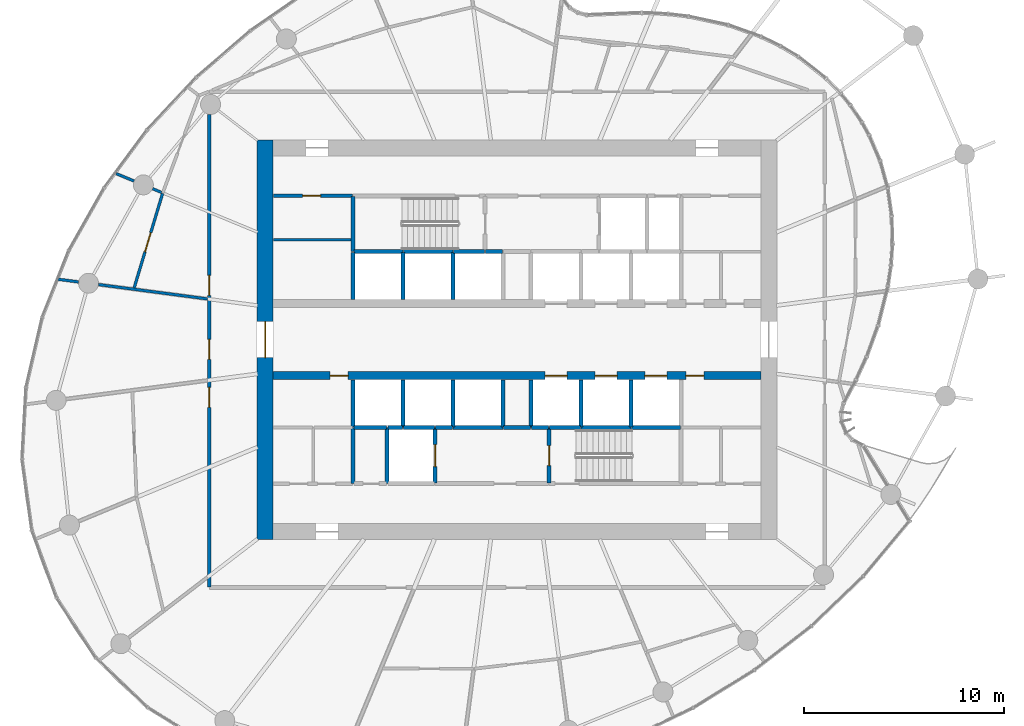
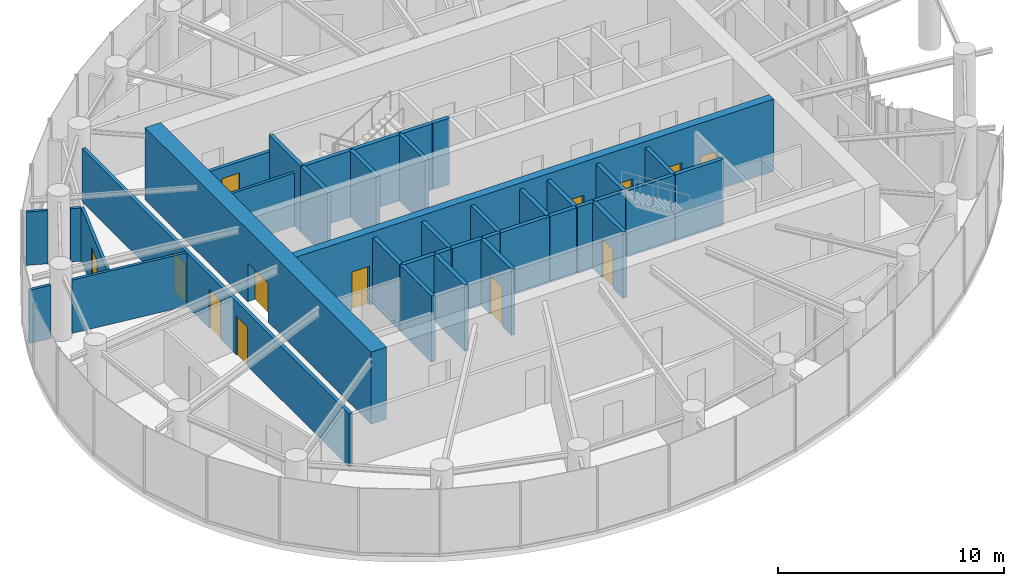
# One storey, part 14 of 19: 39 walls, 13 doors, 13 openings.
"""IFC4 building model written with IfcOpenShell, lengths in metres."""

from ifc_helpers import new_model, si_unit, direction, frame, frame_2d, origin, place, context, subcontext, project, spatial, rectangle, extrude, source, transform, mapped, material, layer, layer_set, type_object, element, fill, save


model = new_model("IFC4")

# Units and contexts
model_context = context("Model", 3, precision=1e-05, world=origin(), true_north=direction((0.0, 1.0)))
body_context = subcontext(model_context, "Body", "Model", "MODEL_VIEW")
ifc_project = project(units=[si_unit("LENGTHUNIT", "METRE"), si_unit("AREAUNIT", "SQUARE_METRE"), si_unit("VOLUMEUNIT", "CUBIC_METRE"), si_unit("PLANEANGLEUNIT", "RADIAN"), si_unit("MASSUNIT", "GRAM", prefix="KILO")], contexts=[model_context])

# Site, building, storey
site_placement = place(None, origin())
site = spatial("IfcSite", under=ifc_project, at=site_placement, CompositionType="ELEMENT")
building_placement = place(site_placement, origin())
building = spatial("IfcBuilding", under=site, at=building_placement, Name="Spindrift Exchange Tower", CompositionType="ELEMENT")
storey_placement = place(building_placement, frame((0.0, 0.0, 137.0)))
storey = spatial("IfcBuildingStorey", under=building, at=storey_placement, Name="L32", CompositionType="ELEMENT", Elevation=137.0)

# Wall, opening, door
ifc_material_1 = material(Name="Concrete 65 MPa", Category="concrete")
ifc_layer_1 = layer(ifc_material_1, 0.800048828125)
ifc_layer_set_1 = layer_set([ifc_layer_1], Name="RC Core Wall 800 Concrete 65 MPa")
wall_type_1 = type_object("IfcWallType", Name="RC Core Wall 800 Concrete 65 MPa", PredefinedType="SHEAR", material=ifc_layer_set_1)
wall_1_placement = place(storey_placement, frame((39.39990234375, 58.0, 0.0), z_axis=(0.0, 0.0, 1.0), x_axis=(0.0, -1.0, 0.0)))
wall_1 = element("IfcWall", 1, at=wall_1_placement, inside=storey, type_object=wall_type_1, Name="Core wall W L32", PredefinedType="SHEAR", context=body_context, shape_type="SweptSolid", body=[
    extrude(rectangle(XDim=20.0, YDim=0.800048828125, at=frame_2d((10.0, 0.0))), origin(), (0.0, 0.0, 1.0), 3.89990234375),
])
opening_1_placement = place(wall_1_placement, frame((9.10009765625, 0.0, 0.0)))
opening_1 = element("IfcOpeningElement", 2, at=opening_1_placement, cuts=wall_1, Name="Opening L32-D1", PredefinedType="OPENING", context=body_context, shape_type="SweptSolid", body=[
    extrude(rectangle(XDim=1.800048828125, YDim=2.10009765625, at=frame_2d((0.89990234375, 1.050048828125))), frame((0.0, 0.409912109375, 0.0), z_axis=(0.0, -1.0, 0.0), x_axis=(1.0, 0.0, 0.0)), (0.0, 0.0, 1.0), 0.820068359375),
])
ifc_material_2 = material(Name="Timber-core fire door", Category="wood")
door_type_1 = type_object("IfcDoorType", Name="DR-LOBBY-1800", OperationType="NOTDEFINED", PredefinedType="DOOR", material=ifc_material_2)
shared_shape_1 = source(origin(), body_context, "Body", "SweptSolid", [
    extrude(rectangle(XDim=1.800048828125, YDim=2.10009765625, at=frame_2d((0.89990234375, 1.050048828125))), frame((0.0, 0.02490234375, 0.0), z_axis=(0.0, -1.0, 0.0), x_axis=(1.0, 0.0, 0.0)), (0.0, 0.0, 1.0), 0.050048828125),
])
door_1_placement = place(opening_1_placement, origin())
door_1 = element("IfcDoor", 3, at=door_1_placement, inside=storey, type_object=door_type_1, Name="L32 Lobby door 1", OperationType="SINGLE_SWING_RIGHT", OverallHeight=2.10009765625, OverallWidth=1.800048828125, PredefinedType="DOOR", context=body_context, shape_type="MappedRepresentation", body=[
    mapped(shared_shape_1, transform((0.0, 0.0, 0.0), scale=1.0)),
])
fill(opening_1, door_1)

# Wall, openings, doors
ifc_layer_2 = layer(ifc_material_1, 0.39990234375)
ifc_layer_set_2 = layer_set([ifc_layer_2], Name="RC Spine Wall 400 Concrete 65 MPa")
wall_type_2 = type_object("IfcWallType", Name="RC Spine Wall 400 Concrete 65 MPa", PredefinedType="SHEAR", material=ifc_layer_set_2)
wall_2_placement = place(storey_placement, frame((39.800048828125, 46.199951171875, 0.0), z_axis=(0.0, 0.0, 1.0), x_axis=(1.0, 0.0, 0.0)))
wall_2 = element("IfcWall", 4, at=wall_2_placement, inside=storey, type_object=wall_type_2, Name="Core spine wall S L32", PredefinedType="SHEAR", context=body_context, shape_type="SweptSolid", body=[
    extrude(rectangle(XDim=24.39990234375, YDim=0.39990234375, at=frame_2d((12.199951171875, 0.0))), origin(), (0.0, 0.0, 1.0), 3.89990234375),
])
opening_2_placement = place(wall_2_placement, frame((13.60009765625, 0.0, 0.0)))
opening_2 = element("IfcOpeningElement", 5, at=opening_2_placement, cuts=wall_2, Name="Opening L32-D6", PredefinedType="OPENING", context=body_context, shape_type="SweptSolid", body=[
    extrude(rectangle(XDim=1.10009765625, YDim=2.10009765625, at=frame_2d((0.550048828125, 1.050048828125))), frame((0.0, 0.2099609375, 0.0), z_axis=(0.0, -1.0, 0.0), x_axis=(1.0, 0.0, 0.0)), (0.0, 0.0, 1.0), 0.419921875),
])
opening_3_placement = place(wall_2_placement, frame((16.10009765625, 0.0, 0.0)))
opening_3 = element("IfcOpeningElement", 6, at=opening_3_placement, cuts=wall_2, Name="Opening L32-D7", PredefinedType="OPENING", context=body_context, shape_type="SweptSolid", body=[
    extrude(rectangle(XDim=1.10009765625, YDim=2.10009765625, at=frame_2d((0.550048828125, 1.050048828125))), frame((0.0, 0.2099609375, 0.0), z_axis=(0.0, -1.0, 0.0), x_axis=(1.0, 0.0, 0.0)), (0.0, 0.0, 1.0), 0.419921875),
])
opening_4_placement = place(wall_2_placement, frame((18.60009765625, 0.0, 0.0)))
opening_4 = element("IfcOpeningElement", 7, at=opening_4_placement, cuts=wall_2, Name="Opening L32-D8", PredefinedType="OPENING", context=body_context, shape_type="SweptSolid", body=[
    extrude(rectangle(XDim=1.10009765625, YDim=2.10009765625, at=frame_2d((0.550048828125, 1.050048828125))), frame((0.0, 0.2099609375, 0.0), z_axis=(0.0, -1.0, 0.0), x_axis=(1.0, 0.0, 0.0)), (0.0, 0.0, 1.0), 0.419921875),
])
opening_5_placement = place(wall_2_placement, frame((20.64990234375, 0.0, 0.0)))
opening_5 = element("IfcOpeningElement", 8, at=opening_5_placement, cuts=wall_2, Name="Opening L32-D54", PredefinedType="OPENING", context=body_context, shape_type="SweptSolid", body=[
    extrude(rectangle(XDim=0.89990234375, YDim=2.10009765625, at=frame_2d((0.449951171875, 1.050048828125))), frame((0.0, 0.2099609375, 0.0), z_axis=(0.0, -1.0, 0.0), x_axis=(1.0, 0.0, 0.0)), (0.0, 0.0, 1.0), 0.419921875),
])
opening_6_placement = place(wall_2_placement, frame((2.85009765625, 0.0, 0.0)))
opening_6 = element("IfcOpeningElement", 9, at=opening_6_placement, cuts=wall_2, Name="Opening L32-D60", PredefinedType="OPENING", context=body_context, shape_type="SweptSolid", body=[
    extrude(rectangle(XDim=0.89990234375, YDim=2.10009765625, at=frame_2d((0.449951171875, 1.050048828125))), frame((0.0, 0.2099609375, 0.0), z_axis=(0.0, -1.0, 0.0), x_axis=(1.0, 0.0, 0.0)), (0.0, 0.0, 1.0), 0.419921875),
])
ifc_material_3 = material(Name="Stainless steel landing door", Category="steel")
door_type_2 = type_object("IfcDoorType", Name="DR-LANDING-1100-SL", OperationType="DOUBLE_DOOR_SLIDING", PredefinedType="USERDEFINED", material=ifc_material_3)
shared_shape_2 = source(origin(), body_context, "Body", "SweptSolid", [
    extrude(rectangle(XDim=1.10009765625, YDim=2.10009765625, at=frame_2d((0.550048828125, 1.050048828125))), frame((0.0, 0.02490234375, 0.0), z_axis=(0.0, -1.0, 0.0), x_axis=(1.0, 0.0, 0.0)), (0.0, 0.0, 1.0), 0.050048828125),
])
door_2_placement = place(opening_2_placement, origin())
door_2 = element("IfcDoor", 10, at=door_2_placement, inside=storey, type_object=door_type_2, Name="L32 Lift landing door 6", ObjectType="LANDING DOOR", OperationType="DOUBLE_DOOR_SLIDING", OverallHeight=2.10009765625, OverallWidth=1.10009765625, PredefinedType="USERDEFINED", context=body_context, shape_type="MappedRepresentation", body=[
    mapped(shared_shape_2, transform((0.0, 0.0, 0.0), scale=1.0)),
])
fill(opening_2, door_2)
door_3_placement = place(opening_3_placement, origin())
door_3 = element("IfcDoor", 11, at=door_3_placement, inside=storey, type_object=door_type_2, Name="L32 Lift landing door 7", ObjectType="LANDING DOOR", OperationType="DOUBLE_DOOR_SLIDING", OverallHeight=2.10009765625, OverallWidth=1.10009765625, PredefinedType="USERDEFINED", context=body_context, shape_type="MappedRepresentation", body=[
    mapped(shared_shape_2, transform((0.0, 0.0, 0.0), scale=1.0)),
])
fill(opening_3, door_3)
door_4_placement = place(opening_4_placement, origin())
door_4 = element("IfcDoor", 12, at=door_4_placement, inside=storey, type_object=door_type_2, Name="L32 Lift landing door 8", ObjectType="LANDING DOOR", OperationType="DOUBLE_DOOR_SLIDING", OverallHeight=2.10009765625, OverallWidth=1.10009765625, PredefinedType="USERDEFINED", context=body_context, shape_type="MappedRepresentation", body=[
    mapped(shared_shape_2, transform((0.0, 0.0, 0.0), scale=1.0)),
])
fill(opening_4, door_4)
ifc_material_4 = material(Name="Steel access door", Category="steel")
door_type_3 = type_object("IfcDoorType", Name="DR-RISER-900", OperationType="NOTDEFINED", PredefinedType="DOOR", material=ifc_material_4)
shared_shape_3 = source(origin(), body_context, "Body", "SweptSolid", [
    extrude(rectangle(XDim=0.89990234375, YDim=2.10009765625, at=frame_2d((0.449951171875, 1.050048828125))), frame((0.0, 0.02490234375, 0.0), z_axis=(0.0, -1.0, 0.0), x_axis=(1.0, 0.0, 0.0)), (0.0, 0.0, 1.0), 0.050048828125),
])
door_5_placement = place(opening_5_placement, origin())
door_5 = element("IfcDoor", 13, at=door_5_placement, inside=storey, type_object=door_type_3, Name="L32 Riser door 54", OperationType="SINGLE_SWING_RIGHT", OverallHeight=2.10009765625, OverallWidth=0.89990234375, PredefinedType="DOOR", context=body_context, shape_type="MappedRepresentation", body=[
    mapped(shared_shape_3, transform((0.0, 0.0, 0.0), scale=1.0)),
])
fill(opening_5, door_5)
door_6_placement = place(opening_6_placement, origin())
door_6 = element("IfcDoor", 14, at=door_6_placement, inside=storey, type_object=door_type_3, Name="L32 Riser door 60", OperationType="SINGLE_SWING_RIGHT", OverallHeight=2.10009765625, OverallWidth=0.89990234375, PredefinedType="DOOR", context=body_context, shape_type="MappedRepresentation", body=[
    mapped(shared_shape_3, transform((0.0, 0.0, 0.0), scale=1.0)),
])
fill(opening_6, door_6)

ifc_material_5 = material(Name="Fire-rated plasterboard partition", Category="gypsum")
ifc_layer_3 = layer(ifc_material_5, 0.179931640625)
ifc_layer_set_3 = layer_set([ifc_layer_3], Name="W-CORR-180")
wall_type_3 = type_object("IfcWallType", Name="W-CORR-180", PredefinedType="PARTITIONING", material=ifc_layer_set_3)
wall_3_placement = place(storey_placement, frame((36.60009765625, 35.6298828125, 0.0), z_axis=(0.0, 0.0, 1.0), x_axis=(0.0, 1.0, 0.0)))
wall_3 = element("IfcWall", 15, at=wall_3_placement, inside=storey, type_object=wall_type_3, Name="L32 Partition wall 57", PredefinedType="PARTITIONING", context=body_context, shape_type="SweptSolid", body=[
    extrude(rectangle(XDim=23.6376953125, YDim=0.179931640625, at=frame_2d((11.81884765625, 0.0))), origin(), (0.0, 0.0, 1.0), 2.8798828125),
])
opening_7_placement = place(wall_3_placement, frame((14.58740234375, 0.0, 0.0)))
opening_7 = element("IfcOpeningElement", 16, at=opening_7_placement, cuts=wall_3, Name="Opening L32-D34", PredefinedType="OPENING", context=body_context, shape_type="SweptSolid", body=[
    extrude(rectangle(XDim=1.0, YDim=2.10009765625, at=frame_2d((0.5, 1.050048828125))), frame((0.0, 0.099853515625, 0.0), z_axis=(0.0, -1.0, 0.0), x_axis=(1.0, 0.0, 0.0)), (0.0, 0.0, 1.0), 0.199951171875),
])
opening_8_placement = place(wall_3_placement, frame((11.387451171875, 0.0, 0.0)))
opening_8 = element("IfcOpeningElement", 17, at=opening_8_placement, cuts=wall_3, Name="Opening L32-D37", PredefinedType="OPENING", context=body_context, shape_type="SweptSolid", body=[
    extrude(rectangle(XDim=1.0, YDim=2.10009765625, at=frame_2d((0.5, 1.050048828125))), frame((0.0, 0.099853515625, 0.0), z_axis=(0.0, -1.0, 0.0), x_axis=(1.0, 0.0, 0.0)), (0.0, 0.0, 1.0), 0.199951171875),
])
opening_9_placement = place(wall_3_placement, frame((8.987548828125, 0.0, 0.0)))
opening_9 = element("IfcOpeningElement", 18, at=opening_9_placement, cuts=wall_3, Name="Opening L32-D38", PredefinedType="OPENING", context=body_context, shape_type="SweptSolid", body=[
    extrude(rectangle(XDim=1.0, YDim=2.10009765625, at=frame_2d((0.5, 1.050048828125))), frame((0.0, 0.099853515625, 0.0), z_axis=(0.0, -1.0, 0.0), x_axis=(1.0, 0.0, 0.0)), (0.0, 0.0, 1.0), 0.199951171875),
])
door_type_4 = type_object("IfcDoorType", Name="DR-ROOM-1000", OperationType="NOTDEFINED", PredefinedType="DOOR", material=ifc_material_2)
shared_shape_4 = source(origin(), body_context, "Body", "SweptSolid", [
    extrude(rectangle(XDim=1.0, YDim=2.10009765625, at=frame_2d((0.5, 1.050048828125))), frame((0.0, 0.02490234375, 0.0), z_axis=(0.0, -1.0, 0.0), x_axis=(1.0, 0.0, 0.0)), (0.0, 0.0, 1.0), 0.050048828125),
])
door_7_placement = place(opening_7_placement, origin())
door_7 = element("IfcDoor", 19, at=door_7_placement, inside=storey, type_object=door_type_4, Name="L32 Door 34", OperationType="SINGLE_SWING_RIGHT", OverallHeight=2.10009765625, OverallWidth=1.0, PredefinedType="DOOR", context=body_context, shape_type="MappedRepresentation", body=[
    mapped(shared_shape_4, transform((0.0, 0.0, 0.0), scale=1.0)),
])
fill(opening_7, door_7)
door_8_placement = place(opening_8_placement, origin())
door_8 = element("IfcDoor", 20, at=door_8_placement, inside=storey, type_object=door_type_4, Name="L32 Door 37", OperationType="SINGLE_SWING_LEFT", OverallHeight=2.10009765625, OverallWidth=1.0, PredefinedType="DOOR", context=body_context, shape_type="MappedRepresentation", body=[
    mapped(shared_shape_4, transform((0.0, 0.0, 0.0), scale=1.0)),
])
fill(opening_8, door_8)
door_9_placement = place(opening_9_placement, origin())
door_9 = element("IfcDoor", 21, at=door_9_placement, inside=storey, type_object=door_type_4, Name="L32 Door 38", OperationType="SINGLE_SWING_RIGHT", OverallHeight=2.10009765625, OverallWidth=1.0, PredefinedType="DOOR", context=body_context, shape_type="MappedRepresentation", body=[
    mapped(shared_shape_4, transform((0.0, 0.0, 0.0), scale=1.0)),
])
fill(opening_9, door_9)

# Wall, opening, door
wall_4_placement = place(storey_placement, frame((43.77001953125, 55.199951171875, 0.0), z_axis=(0.0, 0.0, 1.0), x_axis=(-1.0, 0.0, 0.0)))
wall_4 = element("IfcWall", 22, at=wall_4_placement, inside=storey, type_object=wall_type_3, Name="L32 Partition wall 62", PredefinedType="PARTITIONING", context=body_context, shape_type="SweptSolid", body=[
    extrude(rectangle(XDim=3.949951171875, YDim=0.179931640625, at=frame_2d((1.97509765625, 0.0))), origin(), (0.0, 0.0, 1.0), 2.699951171875),
])
opening_10_placement = place(wall_4_placement, frame((1.60009765625, 0.0, 0.0)))
opening_10 = element("IfcOpeningElement", 23, at=opening_10_placement, cuts=wall_4, Name="Opening L32-D51", PredefinedType="OPENING", context=body_context, shape_type="SweptSolid", body=[
    extrude(rectangle(XDim=0.89990234375, YDim=2.10009765625, at=frame_2d((0.449951171875, 1.050048828125))), frame((0.0, 0.099853515625, 0.0), z_axis=(0.0, -1.0, 0.0), x_axis=(1.0, 0.0, 0.0)), (0.0, 0.0, 1.0), 0.199951171875),
])
door_10_placement = place(opening_10_placement, origin())
door_10 = element("IfcDoor", 24, at=door_10_placement, inside=storey, type_object=door_type_3, Name="L32 Riser door 51", OperationType="SINGLE_SWING_LEFT", OverallHeight=2.10009765625, OverallWidth=0.89990234375, PredefinedType="DOOR", context=body_context, shape_type="MappedRepresentation", body=[
    mapped(shared_shape_3, transform((0.0, 0.0, 0.0), scale=1.0)),
])
fill(opening_10, door_10)

# Wall
ifc_layer_4 = layer(ifc_material_5, 0.139892578125)
ifc_layer_set_4 = layer_set([ifc_layer_4], Name="W-PART-140")
wall_type_4 = type_object("IfcWallType", Name="W-PART-140", PredefinedType="PARTITIONING", material=ifc_layer_set_4)
wall_5_placement = place(storey_placement, frame((36.510009765625, 50.039306640625, 0.0), z_axis=(0.0, 0.0, 1.0), x_axis=(-0.991447190362, 0.130508500581, 0.0)))
element("IfcWall", 25, at=wall_5_placement, inside=storey, type_object=wall_type_4, Name="L32 Partition wall 66", PredefinedType="PARTITIONING", context=body_context, shape_type="SweptSolid", body=[
    extrude(rectangle(XDim=5.498046875, YDim=0.139892578125, at=frame_2d((2.7490234375, 0.0))), origin(), (0.0, 0.0, 1.0), 2.8798828125),
])

# Wall, opening, door
wall_6_placement = place(storey_placement, frame((32.84130859375, 50.593017578125, 0.0), z_axis=(0.0, 0.0, 1.0), x_axis=(0.288451473593, 0.957494515588, 0.0)))
wall_6 = element("IfcWall", 26, at=wall_6_placement, inside=storey, type_object=wall_type_4, Name="L32 Partition wall 72", PredefinedType="PARTITIONING", context=body_context, shape_type="SweptSolid", body=[
    extrude(rectangle(XDim=4.93115234375, YDim=0.139892578125, at=frame_2d((2.465576171875, 0.0))), origin(), (0.0, 0.0, 1.0), 2.8798828125),
])
opening_11_placement = place(wall_6_placement, frame((1.881103515625, 0.0, 0.0)))
opening_11 = element("IfcOpeningElement", 27, at=opening_11_placement, cuts=wall_6, Name="Opening L32-D36", PredefinedType="OPENING", context=body_context, shape_type="SweptSolid", body=[
    extrude(rectangle(XDim=1.0, YDim=2.10009765625, at=frame_2d((0.5, 1.050048828125))), frame((0.0, 0.079833984375, 0.0), z_axis=(0.0, -1.0, 0.0), x_axis=(1.0, 0.0, 0.0)), (0.0, 0.0, 1.0), 0.159912109375),
])
door_11_placement = place(opening_11_placement, origin())
door_11 = element("IfcDoor", 28, at=door_11_placement, inside=storey, type_object=door_type_4, Name="L32 Door 36", OperationType="SINGLE_SWING_RIGHT", OverallHeight=2.10009765625, OverallWidth=1.0, PredefinedType="DOOR", context=body_context, shape_type="MappedRepresentation", body=[
    mapped(shared_shape_4, transform((0.0, 0.0, 0.0), scale=1.0)),
])
fill(opening_11, door_11)

# Walls
wall_7_placement = place(storey_placement, frame((39.820068359375, 53.0, 0.0), z_axis=(0.0, 0.0, 1.0), x_axis=(1.0, 0.0, 0.0)))
element("IfcWall", 29, at=wall_7_placement, inside=storey, type_object=wall_type_4, Name="L32 Partition wall 85", PredefinedType="PARTITIONING", context=body_context, shape_type="SweptSolid", body=[
    extrude(rectangle(XDim=3.8798828125, YDim=0.139892578125, at=frame_2d((1.93994140625, 0.0))), origin(), (0.0, 0.0, 1.0), 2.8798828125),
])
wall_8_placement = place(storey_placement, frame((30.058837890625, 50.888671875, 0.0), z_axis=(0.0, 0.0, 1.0), x_axis=(-0.99145510575, 0.13044835485, 0.0)))
element("IfcWall", 30, at=wall_8_placement, inside=storey, type_object=wall_type_4, Name="L32 Partition wall 114", PredefinedType="PARTITIONING", context=body_context, shape_type="SweptSolid", body=[
    extrude(rectangle(XDim=1.025634765625, YDim=0.139892578125, at=frame_2d((0.5126953125, 0.0))), origin(), (0.0, 0.0, 1.0), 2.8798828125),
])
wall_9_placement = place(storey_placement, frame((32.833984375, 55.938720703125, 0.0), z_axis=(0.0, 0.0, 1.0), x_axis=(-0.923825225633, 0.382814514464, 0.0)))
element("IfcWall", 31, at=wall_9_placement, inside=storey, type_object=wall_type_4, Name="L32 Partition wall 116", PredefinedType="PARTITIONING", context=body_context, shape_type="SweptSolid", body=[
    extrude(rectangle(XDim=0.962890625, YDim=0.139892578125, at=frame_2d((0.4814453125, 0.0))), origin(), (0.0, 0.0, 1.0), 2.8798828125),
])
wall_10_placement = place(storey_placement, frame((34.20751953125, 55.369873046875, 0.0), z_axis=(0.0, 0.0, 1.0), x_axis=(-0.923848198503, 0.382759070595, 0.0)))
element("IfcWall", 32, at=wall_10_placement, inside=storey, type_object=wall_type_4, Name="L32 Partition wall 130", PredefinedType="PARTITIONING", context=body_context, shape_type="SweptSolid", body=[
    extrude(rectangle(XDim=0.4765625, YDim=0.139892578125, at=frame_2d((0.23828125, 0.0))), origin(), (0.0, 0.0, 1.0), 2.8798828125),
])
ifc_material_6 = material(Name="Concrete 40 MPa", Category="concrete")
ifc_layer_5 = layer(ifc_material_6, 0.199951171875)
ifc_layer_set_5 = layer_set([ifc_layer_5], Name="W-SHAFT-200")
wall_type_5 = type_object("IfcWallType", Name="W-SHAFT-200", PredefinedType="SOLIDWALL", material=ifc_layer_set_5)
for number, where, z_axis, x_axis, name in (
    (33, (43.800048828125, 43.60009765625, 0.0), (0.0, 0.0, 1.0), (0.0, -1.0, 0.0), "L32 Shaft wall 5"),
    (34, (45.5, 43.60009765625, 0.0), (0.0, 0.0, 1.0), (0.0, -1.0, 0.0), "L32 Shaft wall 7"),
):
    element("IfcWall", number, at=place(storey_placement, frame(where, z_axis=z_axis, x_axis=x_axis)), inside=storey, type_object=wall_type_5, Name=name, PredefinedType="SOLIDWALL", context=body_context, shape_type="SweptSolid", body=[
        extrude(rectangle(XDim=2.800048828125, YDim=0.199951171875, at=frame_2d((1.39990234375, 0.0))), origin(), (0.0, 0.0, 1.0), 3.580078125),
    ])

# Wall, opening, door
wall_11_placement = place(storey_placement, frame((47.89990234375, 40.830078125, 0.0), z_axis=(0.0, 0.0, 1.0), x_axis=(0.0, 1.0, 0.0)))
wall_11 = element("IfcWall", 35, at=wall_11_placement, inside=storey, type_object=wall_type_5, Name="L32 Shaft wall 8", PredefinedType="SOLIDWALL", context=body_context, shape_type="SweptSolid", body=[
    extrude(rectangle(XDim=2.77001953125, YDim=0.199951171875, at=frame_2d((1.385009765625, 0.0))), origin(), (0.0, 0.0, 1.0), 3.580078125),
])
opening_12_placement = place(wall_11_placement, frame((0.820068359375, 0.0, 0.0)))
opening_12 = element("IfcOpeningElement", 36, at=opening_12_placement, cuts=wall_11, Name="Opening L32-D10", PredefinedType="OPENING", context=body_context, shape_type="SweptSolid", body=[
    extrude(rectangle(XDim=1.10009765625, YDim=2.10009765625, at=frame_2d((0.550048828125, 1.050048828125))), frame((0.0, 0.10986328125, 0.0), z_axis=(0.0, -1.0, 0.0), x_axis=(1.0, 0.0, 0.0)), (0.0, 0.0, 1.0), 0.219970703125),
])
door_12_placement = place(opening_12_placement, origin())
door_12 = element("IfcDoor", 37, at=door_12_placement, inside=storey, type_object=door_type_2, Name="L32 Lift landing door 10", ObjectType="LANDING DOOR", OperationType="DOUBLE_DOOR_SLIDING", OverallHeight=2.10009765625, OverallWidth=1.10009765625, PredefinedType="USERDEFINED", context=body_context, shape_type="MappedRepresentation", body=[
    mapped(shared_shape_2, transform((0.0, 0.0, 0.0), scale=1.0)),
])
fill(opening_12, door_12)

# Walls
wall_12_placement = place(storey_placement, frame((48.800048828125, 43.60009765625, 0.0), z_axis=(0.0, 0.0, 1.0), x_axis=(1.0, 0.0, 0.0)))
element("IfcWall", 38, at=wall_12_placement, inside=storey, type_object=wall_type_5, Name="L32 Shaft wall 17", PredefinedType="SOLIDWALL", context=body_context, shape_type="SweptSolid", body=[
    extrude(rectangle(XDim=2.5, YDim=0.199951171875, at=frame_2d((1.25, 0.0))), origin(), (0.0, 0.0, 1.0), 3.580078125),
])
wall_13_placement = place(storey_placement, frame((43.800048828125, 45.989990234375, 0.0), z_axis=(0.0, 0.0, 1.0), x_axis=(0.0, -1.0, 0.0)))
element("IfcWall", 39, at=wall_13_placement, inside=storey, type_object=wall_type_5, Name="L32 Shaft wall 23", PredefinedType="SOLIDWALL", context=body_context, shape_type="SweptSolid", body=[
    extrude(rectangle(XDim=2.360107421875, YDim=0.199951171875, at=frame_2d((1.18017578125, 0.0))), origin(), (0.0, 0.0, 1.0), 3.580078125),
])
wall_14_placement = place(storey_placement, frame((46.300048828125, 43.60009765625, 0.0), z_axis=(0.0, 0.0, 1.0), x_axis=(0.0, 1.0, 0.0)))
element("IfcWall", 40, at=wall_14_placement, inside=storey, type_object=wall_type_5, Name="L32 Shaft wall 25", PredefinedType="SOLIDWALL", context=body_context, shape_type="SweptSolid", body=[
    extrude(rectangle(XDim=2.389892578125, YDim=0.199951171875, at=frame_2d((1.19482421875, 0.0))), origin(), (0.0, 0.0, 1.0), 3.580078125),
])
for number, where, z_axis, x_axis, name in (
    (41, (48.800048828125, 43.6298828125, 0.0), (0.0, 0.0, 1.0), (0.0, 1.0, 0.0), "L32 Shaft wall 27"),
    (42, (51.300048828125, 43.6298828125, 0.0), (0.0, 0.0, 1.0), (0.0, 1.0, 0.0), "L32 Shaft wall 29"),
):
    element("IfcWall", number, at=place(storey_placement, frame(where, z_axis=z_axis, x_axis=x_axis)), inside=storey, type_object=wall_type_5, Name=name, PredefinedType="SOLIDWALL", context=body_context, shape_type="SweptSolid", body=[
        extrude(rectangle(XDim=2.360107421875, YDim=0.199951171875, at=frame_2d((1.18017578125, 0.0))), origin(), (0.0, 0.0, 1.0), 3.580078125),
    ])
wall_15_placement = place(storey_placement, frame((52.699951171875, 45.989990234375, 0.0), z_axis=(0.0, 0.0, 1.0), x_axis=(0.0, -1.0, 0.0)))
element("IfcWall", 43, at=wall_15_placement, inside=storey, type_object=wall_type_5, Name="L32 Shaft wall 31", PredefinedType="SOLIDWALL", context=body_context, shape_type="SweptSolid", body=[
    extrude(rectangle(XDim=2.389892578125, YDim=0.199951171875, at=frame_2d((1.19482421875, 0.0))), origin(), (0.0, 0.0, 1.0), 3.580078125),
])
wall_16_placement = place(storey_placement, frame((43.830078125, 43.60009765625, 0.0), z_axis=(0.0, 0.0, 1.0), x_axis=(1.0, 0.0, 0.0)))
element("IfcWall", 44, at=wall_16_placement, inside=storey, type_object=wall_type_5, Name="L32 Shaft wall 39", PredefinedType="SOLIDWALL", context=body_context, shape_type="SweptSolid", body=[
    extrude(rectangle(XDim=1.639892578125, YDim=0.199951171875, at=frame_2d((0.81982421875, 0.0))), origin(), (0.0, 0.0, 1.0), 3.580078125),
])
wall_17_placement = place(storey_placement, frame((46.330078125, 43.60009765625, 0.0), z_axis=(0.0, 0.0, 1.0), x_axis=(1.0, 0.0, 0.0)))
element("IfcWall", 45, at=wall_17_placement, inside=storey, type_object=wall_type_5, Name="L32 Shaft wall 43", PredefinedType="SOLIDWALL", context=body_context, shape_type="SweptSolid", body=[
    extrude(rectangle(XDim=1.5400390625, YDim=0.199951171875, at=frame_2d((0.77001953125, 0.0))), origin(), (0.0, 0.0, 1.0), 3.580078125),
])
wall_18_placement = place(storey_placement, frame((52.669921875, 43.60009765625, 0.0), z_axis=(0.0, 0.0, 1.0), x_axis=(-1.0, 0.0, 0.0)))
element("IfcWall", 46, at=wall_18_placement, inside=storey, type_object=wall_type_5, Name="L32 Shaft wall 47", PredefinedType="SOLIDWALL", context=body_context, shape_type="SweptSolid", body=[
    extrude(rectangle(XDim=1.33984375, YDim=0.199951171875, at=frame_2d((0.669921875, 0.0))), origin(), (0.0, 0.0, 1.0), 3.580078125),
])
wall_19_placement = place(storey_placement, frame((47.929931640625, 43.60009765625, 0.0), z_axis=(0.0, 0.0, 1.0), x_axis=(1.0, 0.0, 0.0)))
element("IfcWall", 47, at=wall_19_placement, inside=storey, type_object=wall_type_5, Name="L32 Shaft wall 49", PredefinedType="SOLIDWALL", context=body_context, shape_type="SweptSolid", body=[
    extrude(rectangle(XDim=0.840087890625, YDim=0.199951171875, at=frame_2d((0.419921875, 0.0))), origin(), (0.0, 0.0, 1.0), 3.580078125),
])
wall_20_placement = place(storey_placement, frame((45.530029296875, 43.60009765625, 0.0), z_axis=(0.0, 0.0, 1.0), x_axis=(1.0, 0.0, 0.0)))
element("IfcWall", 48, at=wall_20_placement, inside=storey, type_object=wall_type_5, Name="L32 Shaft wall 53", PredefinedType="SOLIDWALL", context=body_context, shape_type="SweptSolid", body=[
    extrude(rectangle(XDim=0.739990234375, YDim=0.199951171875, at=frame_2d((0.3701171875, 0.0))), origin(), (0.0, 0.0, 1.0), 3.580078125),
])
ifc_layer_6 = layer(ifc_material_6, 0.199951171875)
ifc_layer_set_6 = layer_set([ifc_layer_6], Name="W-SHAFT-200-LB")
wall_type_6 = type_object("IfcWallType", Name="W-SHAFT-200-LB", PredefinedType="SOLIDWALL", material=ifc_layer_set_6)
wall_21_placement = place(storey_placement, frame((43.800048828125, 55.169921875, 0.0), z_axis=(0.0, 0.0, 1.0), x_axis=(0.0, -1.0, 0.0)))
element("IfcWall", 49, at=wall_21_placement, inside=storey, type_object=wall_type_6, Name="L32 Shaft wall 6", PredefinedType="SOLIDWALL", context=body_context, shape_type="SweptSolid", body=[
    extrude(rectangle(XDim=2.77001953125, YDim=0.199951171875, at=frame_2d((1.385009765625, 0.0))), origin(), (0.0, 0.0, 1.0), 3.580078125),
])

# Wall, opening, door
wall_22_placement = place(storey_placement, frame((53.60009765625, 43.60009765625, 0.0), z_axis=(0.0, 0.0, 1.0), x_axis=(0.0, -1.0, 0.0)))
wall_22 = element("IfcWall", 50, at=wall_22_placement, inside=storey, type_object=wall_type_6, Name="L32 Shaft wall 11", PredefinedType="SOLIDWALL", context=body_context, shape_type="SweptSolid", body=[
    extrude(rectangle(XDim=2.77001953125, YDim=0.199951171875, at=frame_2d((1.385009765625, 0.0))), origin(), (0.0, 0.0, 1.0), 3.580078125),
])
opening_13_placement = place(wall_22_placement, frame((0.89990234375, 0.0, 0.0)))
opening_13 = element("IfcOpeningElement", 51, at=opening_13_placement, cuts=wall_22, Name="Opening L32-D16", PredefinedType="OPENING", context=body_context, shape_type="SweptSolid", body=[
    extrude(rectangle(XDim=1.0, YDim=2.10009765625, at=frame_2d((0.5, 1.050048828125))), frame((0.0, 0.10986328125, 0.0), z_axis=(0.0, -1.0, 0.0), x_axis=(1.0, 0.0, 0.0)), (0.0, 0.0, 1.0), 0.219970703125),
])
ifc_material_7 = material(Name="Steel fire door", Category="steel")
door_type_5 = type_object("IfcDoorType", Name="DR-STAIR-1000", OperationType="NOTDEFINED", PredefinedType="DOOR", material=ifc_material_7)
shared_shape_5 = source(origin(), body_context, "Body", "SweptSolid", [
    extrude(rectangle(XDim=1.0, YDim=2.10009765625, at=frame_2d((0.5, 1.050048828125))), frame((0.0, 0.02490234375, 0.0), z_axis=(0.0, -1.0, 0.0), x_axis=(1.0, 0.0, 0.0)), (0.0, 0.0, 1.0), 0.050048828125),
])
door_13_placement = place(opening_13_placement, origin())
door_13 = element("IfcDoor", 52, at=door_13_placement, inside=storey, type_object=door_type_5, Name="L32 Stair door 16", OperationType="SINGLE_SWING_RIGHT", OverallHeight=2.10009765625, OverallWidth=1.0, PredefinedType="DOOR", context=body_context, shape_type="MappedRepresentation", body=[
    mapped(shared_shape_5, transform((0.0, 0.0, 0.0), scale=1.0)),
])
fill(opening_13, door_13)

# Walls
for number, where, z_axis, x_axis, name in (
    (53, (46.300048828125, 52.39990234375, 0.0), (0.0, 0.0, 1.0), (-1.0, 0.0, 0.0), "L32 Shaft wall 15"),
    (54, (48.800048828125, 52.39990234375, 0.0), (0.0, 0.0, 1.0), (-1.0, 0.0, 0.0), "L32 Shaft wall 16"),
):
    element("IfcWall", number, at=place(storey_placement, frame(where, z_axis=z_axis, x_axis=x_axis)), inside=storey, type_object=wall_type_6, Name=name, PredefinedType="SOLIDWALL", context=body_context, shape_type="SweptSolid", body=[
        extrude(rectangle(XDim=2.469970703125, YDim=0.199951171875, at=frame_2d((1.23486328125, 0.0))), origin(), (0.0, 0.0, 1.0), 3.580078125),
    ])
wall_23_placement = place(storey_placement, frame((55.199951171875, 43.60009765625, 0.0), z_axis=(0.0, 0.0, 1.0), x_axis=(1.0, 0.0, 0.0)))
element("IfcWall", 55, at=wall_23_placement, inside=storey, type_object=wall_type_6, Name="L32 Shaft wall 19", PredefinedType="SOLIDWALL", context=body_context, shape_type="SweptSolid", body=[
    extrude(rectangle(XDim=2.5, YDim=0.199951171875, at=frame_2d((1.25, 0.0))), origin(), (0.0, 0.0, 1.0), 3.580078125),
])
wall_24_placement = place(storey_placement, frame((57.72998046875, 43.60009765625, 0.0), z_axis=(0.0, 0.0, 1.0), x_axis=(1.0, 0.0, 0.0)))
element("IfcWall", 56, at=wall_24_placement, inside=storey, type_object=wall_type_6, Name="L32 Shaft wall 20", PredefinedType="SOLIDWALL", context=body_context, shape_type="SweptSolid", body=[
    extrude(rectangle(XDim=2.43994140625, YDim=0.199951171875, at=frame_2d((1.219970703125, 0.0))), origin(), (0.0, 0.0, 1.0), 3.580078125),
])
for number, where, z_axis, x_axis, name in (
    (57, (43.800048828125, 52.3701171875, 0.0), (0.0, 0.0, 1.0), (0.0, -1.0, 0.0), "L32 Shaft wall 24"),
    (58, (46.300048828125, 50.010009765625, 0.0), (0.0, 0.0, 1.0), (0.0, 1.0, 0.0), "L32 Shaft wall 26"),
    (59, (48.800048828125, 50.010009765625, 0.0), (0.0, 0.0, 1.0), (0.0, 1.0, 0.0), "L32 Shaft wall 28"),
    (60, (55.199951171875, 43.6298828125, 0.0), (0.0, 0.0, 1.0), (0.0, 1.0, 0.0), "L32 Shaft wall 33"),
    (61, (57.699951171875, 43.6298828125, 0.0), (0.0, 0.0, 1.0), (0.0, 1.0, 0.0), "L32 Shaft wall 35"),
):
    element("IfcWall", number, at=place(storey_placement, frame(where, z_axis=z_axis, x_axis=x_axis)), inside=storey, type_object=wall_type_6, Name=name, PredefinedType="SOLIDWALL", context=body_context, shape_type="SweptSolid", body=[
        extrude(rectangle(XDim=2.360107421875, YDim=0.199951171875, at=frame_2d((1.18017578125, 0.0))), origin(), (0.0, 0.0, 1.0), 3.580078125),
    ])
for number, where, z_axis, x_axis, name in (
    (62, (50.3701171875, 52.39990234375, 0.0), (0.0, 0.0, 1.0), (-1.0, 0.0, 0.0), "L32 Shaft wall 44"),
    (63, (53.6298828125, 43.60009765625, 0.0), (0.0, 0.0, 1.0), (1.0, 0.0, 0.0), "L32 Shaft wall 45"),
):
    element("IfcWall", number, at=place(storey_placement, frame(where, z_axis=z_axis, x_axis=x_axis)), inside=storey, type_object=wall_type_6, Name=name, PredefinedType="SOLIDWALL", context=body_context, shape_type="SweptSolid", body=[
        extrude(rectangle(XDim=1.5400390625, YDim=0.199951171875, at=frame_2d((0.77001953125, 0.0))), origin(), (0.0, 0.0, 1.0), 3.580078125),
    ])
for number, where, z_axis, x_axis, name in (
    (64, (51.27001953125, 52.39990234375, 0.0), (0.0, 0.0, 1.0), (-1.0, 0.0, 0.0), "L32 Shaft wall 50"),
    (65, (52.72998046875, 43.60009765625, 0.0), (0.0, 0.0, 1.0), (1.0, 0.0, 0.0), "L32 Shaft wall 51"),
):
    element("IfcWall", number, at=place(storey_placement, frame(where, z_axis=z_axis, x_axis=x_axis)), inside=storey, type_object=wall_type_6, Name=name, PredefinedType="SOLIDWALL", context=body_context, shape_type="SweptSolid", body=[
        extrude(rectangle(XDim=0.840087890625, YDim=0.199951171875, at=frame_2d((0.419921875, 0.0))), origin(), (0.0, 0.0, 1.0), 3.580078125),
    ])

save(model, "model.ifc")
